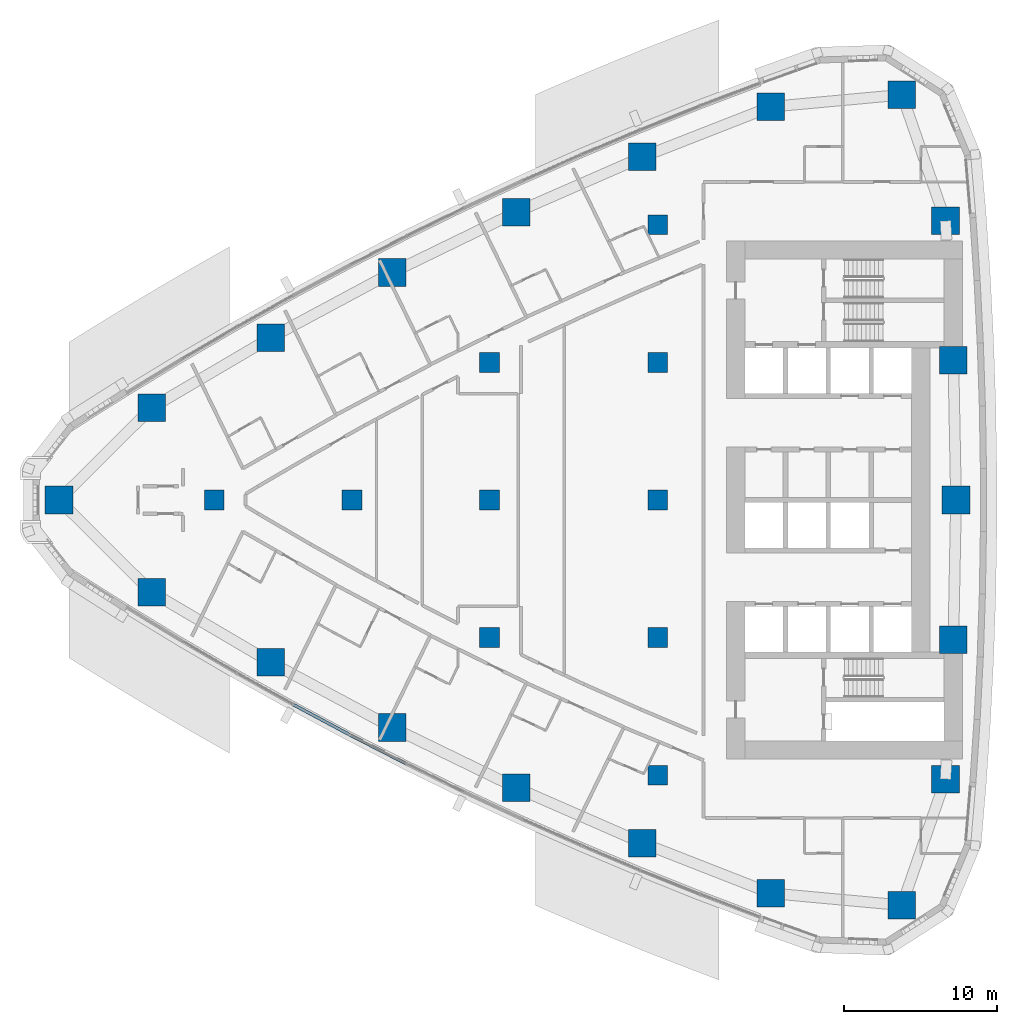
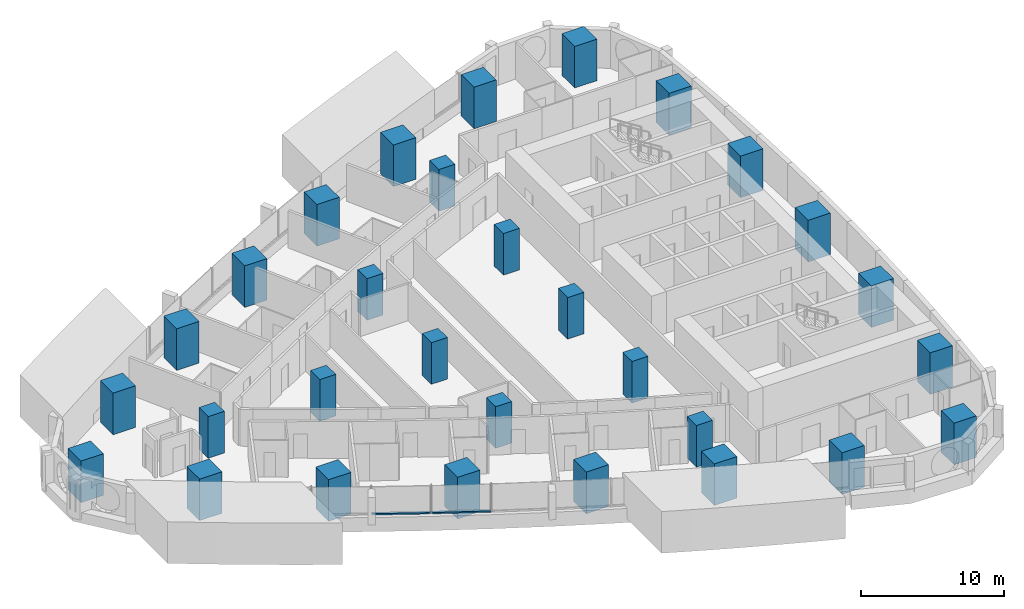
# One storey, part 1 of 19: 30 columns, 2 members, 1 element without a shape of its own.
"""IFC4 building model written with IfcOpenShell, lengths in metres."""

from ifc_helpers import new_model, si_unit, direction, frame, origin, origin_2d, place, context, subcontext, project, spatial, rectangle, extrude, material, layer, layer_set, material_profile, profile_set, type_object, element, aggregate, save


model = new_model("IFC4")

# Units and contexts
model_context = context("Model", 3, precision=1e-05, world=origin(), true_north=direction((0.0, 1.0)))
body_context = subcontext(model_context, "Body", "Model", "MODEL_VIEW")
ifc_project = project(units=[si_unit("LENGTHUNIT", "METRE"), si_unit("AREAUNIT", "SQUARE_METRE"), si_unit("VOLUMEUNIT", "CUBIC_METRE"), si_unit("PLANEANGLEUNIT", "RADIAN"), si_unit("MASSUNIT", "GRAM", prefix="KILO")], contexts=[model_context])

# Site, building, storey
site_placement = place(None, origin())
site = spatial("IfcSite", under=ifc_project, at=site_placement, CompositionType="ELEMENT")
building_placement = place(site_placement, origin())
building = spatial("IfcBuilding", under=site, at=building_placement, Name="Ostrand Prow Hotel Tower", CompositionType="ELEMENT")
storey_placement = place(building_placement, frame((0.0, 0.0, 71.550048828125)))
storey = spatial("IfcBuildingStorey", under=building, at=storey_placement, Name="L16", CompositionType="ELEMENT", Elevation=71.550048828125)

# Columns
ifc_material_1 = material(Name="Concrete C80/95", Category="concrete")
ifc_material_profile_1 = material_profile(ifc_material_1, rectangle(XDim=1.300048828125, YDim=1.300048828125, at=origin_2d()), Name="RC 1300x1300")
ifc_profile_set_1 = profile_set([ifc_material_profile_1], Name="Concrete C80/95")
column_type_1 = type_object("IfcColumnType", Name="Interior column 1300x1300 C80/95", PredefinedType="COLUMN", material=ifc_profile_set_1)
for number, where, z_axis, x_axis, name in (
    (1, (16.0, 0.0, 0.0), (0.0, 0.0, 1.0), (1.0, 0.0, 0.0), "Interior column 16C0"),
    (2, (25.0, 0.0, 0.0), (0.0, 0.0, 1.0), (1.0, 0.0, 0.0), "Interior column 25C0"),
    (3, (34.0, -9.0, 0.0), (0.0, 0.0, 1.0), (1.0, 0.0, 0.0), "Interior column 34S9"),
    (4, (34.0, 0.0, 0.0), (0.0, 0.0, 1.0), (1.0, 0.0, 0.0), "Interior column 34C0"),
    (5, (34.0, 9.0, 0.0), (0.0, 0.0, 1.0), (1.0, 0.0, 0.0), "Interior column 34N9"),
    (6, (45.0, -18.0, 0.0), (0.0, 0.0, 1.0), (1.0, 0.0, 0.0), "Interior column 45S18"),
    (7, (45.0, -9.0, 0.0), (0.0, 0.0, 1.0), (1.0, 0.0, 0.0), "Interior column 45S9"),
    (8, (45.0, 0.0, 0.0), (0.0, 0.0, 1.0), (1.0, 0.0, 0.0), "Interior column 45C0"),
    (9, (45.0, 9.0, 0.0), (0.0, 0.0, 1.0), (1.0, 0.0, 0.0), "Interior column 45N9"),
    (10, (45.0, 18.0, 0.0), (0.0, 0.0, 1.0), (1.0, 0.0, 0.0), "Interior column 45N18"),
):
    element("IfcColumn", number, at=place(storey_placement, frame(where, z_axis=z_axis, x_axis=x_axis)), inside=storey, type_object=column_type_1, Name=name, PredefinedType="COLUMN", context=body_context, shape_type="SweptSolid", body=[
        extrude(rectangle(XDim=1.300048828125, YDim=1.300048828125, at=origin_2d()), origin(), (0.0, 0.0, 1.0), 3.550048828125),
    ])
ifc_material_2 = material(Name="Concrete C80/95", Category="concrete")
ifc_material_profile_2 = material_profile(ifc_material_2, rectangle(XDim=1.800048828125, YDim=1.800048828125, at=origin_2d()), Name="RC 1800x1800")
ifc_profile_set_2 = profile_set([ifc_material_profile_2], Name="Concrete C80/95")
column_type_2 = type_object("IfcColumnType", Name="Stone-faced mega column 1800x1800 C80/95", PredefinedType="COLUMN", material=ifc_profile_set_2)
for number, where, z_axis, x_axis, name in (
    (11, (5.848388671875, 0.0, 0.0), (0.0, 0.0, 1.0), (1.0, 0.0, 0.0), "Mega column P"),
    (12, (11.926513671875, -6.0419921875, 0.0), (0.0, 0.0, 1.0), (1.0, 0.0, 0.0), "Mega column S1"),
    (13, (19.69287109375, -10.61474609375, 0.0), (0.0, 0.0, 1.0), (1.0, 0.0, 0.0), "Mega column S2"),
    (14, (27.635498046875, -14.874267578125, 0.0), (0.0, 0.0, 1.0), (1.0, 0.0, 0.0), "Mega column S3"),
    (15, (35.7412109375, -18.814208984375, 0.0), (0.0, 0.0, 1.0), (1.0, 0.0, 0.0), "Mega column S4"),
    (16, (43.997802734375, -22.427978515625, 0.0), (0.0, 0.0, 1.0), (1.0, 0.0, 0.0), "Mega column S5"),
    (17, (52.3916015625, -25.710205078125, 0.0), (0.0, 0.0, 1.0), (1.0, 0.0, 0.0), "Mega column S6"),
    (18, (60.966064453125, -26.49853515625, 0.0), (0.0, 0.0, 1.0), (1.0, 0.0, 0.0), "Mega column SE"),
    (19, (63.8134765625, -18.248779296875, 0.0), (0.0, 0.0, 1.0), (1.0, 0.0, 0.0), "Mega column B1"),
    (20, (64.328369140625, -9.130859375, 0.0), (0.0, 0.0, 1.0), (1.0, 0.0, 0.0), "Mega column B2"),
    (21, (64.5, 0.0, 0.0), (0.0, 0.0, 1.0), (1.0, 0.0, 0.0), "Mega column B3"),
    (22, (64.328369140625, 9.130859375, 0.0), (0.0, 0.0, 1.0), (1.0, 0.0, 0.0), "Mega column B4"),
    (23, (63.8134765625, 18.248779296875, 0.0), (0.0, 0.0, 1.0), (1.0, 0.0, 0.0), "Mega column B5"),
    (24, (60.966064453125, 26.49853515625, 0.0), (0.0, 0.0, 1.0), (1.0, 0.0, 0.0), "Mega column NE"),
    (25, (52.3916015625, 25.710205078125, 0.0), (0.0, 0.0, 1.0), (1.0, 0.0, 0.0), "Mega column N1"),
    (26, (43.997802734375, 22.427978515625, 0.0), (0.0, 0.0, 1.0), (1.0, 0.0, 0.0), "Mega column N2"),
    (27, (35.7412109375, 18.814208984375, 0.0), (0.0, 0.0, 1.0), (1.0, 0.0, 0.0), "Mega column N3"),
    (28, (27.635498046875, 14.874267578125, 0.0), (0.0, 0.0, 1.0), (1.0, 0.0, 0.0), "Mega column N4"),
    (29, (19.69287109375, 10.61474609375, 0.0), (0.0, 0.0, 1.0), (1.0, 0.0, 0.0), "Mega column N5"),
    (30, (11.926513671875, 6.0419921875, 0.0), (0.0, 0.0, 1.0), (1.0, 0.0, 0.0), "Mega column N6"),
):
    element("IfcColumn", number, at=place(storey_placement, frame(where, z_axis=z_axis, x_axis=x_axis)), inside=storey, type_object=column_type_2, Name=name, PredefinedType="COLUMN", context=body_context, shape_type="SweptSolid", body=[
        extrude(rectangle(XDim=1.800048828125, YDim=1.800048828125, at=origin_2d()), origin(), (0.0, 0.0, 1.0), 3.550048828125),
    ])

# Curtain wall, members
ifc_material_3 = material(Name="Insulated glass in bronze anodised frame", Category="glass")
ifc_layer = layer(ifc_material_3, 0.199951171875)
ifc_layer_set = layer_set([ifc_layer], Name="Insulated glass in bronze anodised frame")
curtain_wall_type = type_object("IfcCurtainWallType", Name="Strip curtain wall, fritted glass over bronze spandrel", PredefinedType="NOTDEFINED", material=ifc_layer_set)
curtain_wall_placement = place(storey_placement, origin())
curtain_wall = element("IfcCurtainWall", 31, at=curtain_wall_placement, inside=storey, type_object=curtain_wall_type, Name="CW1 run CWS2", PredefinedType="NOTDEFINED")
ifc_material_4 = material(Name="Bronze anodised aluminium", Category="aluminium")
ifc_material_profile_3 = material_profile(ifc_material_4, rectangle(XDim=0.199951171875, YDim=0.1201171875, at=origin_2d()), Name="Transom 120x200 bronze anodised aluminium")
ifc_profile_set_3 = profile_set([ifc_material_profile_3], Name="Bronze anodised aluminium")
member_type = type_object("IfcMemberType", Name="Transom 120x200 bronze anodised aluminium", PredefinedType="USERDEFINED", material=ifc_profile_set_3)
member_1_placement = place(storey_placement, frame((21.187255859375, -13.386962890625, 0.9599609375), z_axis=(0.881657241639, -0.471890356191, 0.0), x_axis=(0.471890356191, 0.881657241639, 0.0)))
member_1 = element("IfcMember", 32, at=member_1_placement, type_object=member_type, Name="CW1 transom 2.1", ObjectType="TRANSOM", PredefinedType="USERDEFINED", context=body_context, shape_type="SweptSolid", body=[
    extrude(rectangle(XDim=0.199951171875, YDim=0.1201171875, at=origin_2d()), origin(), (0.0, 0.0, 1.0), 4.13427734375),
])
member_2_placement = place(storey_placement, frame((24.885498046875, -15.36572265625, 0.9599609375), z_axis=(0.890182999343, -0.455603147136, 0.0), x_axis=(0.455603147136, 0.890182999343, 0.0)))
member_2 = element("IfcMember", 33, at=member_2_placement, type_object=member_type, Name="CW1 transom 3.1", ObjectType="TRANSOM", PredefinedType="USERDEFINED", context=body_context, shape_type="SweptSolid", body=[
    extrude(rectangle(XDim=0.199951171875, YDim=0.1201171875, at=origin_2d()), origin(), (0.0, 0.0, 1.0), 4.13427734375),
])
aggregate(curtain_wall, [member_1, member_2])

save(model, "model.ifc")
